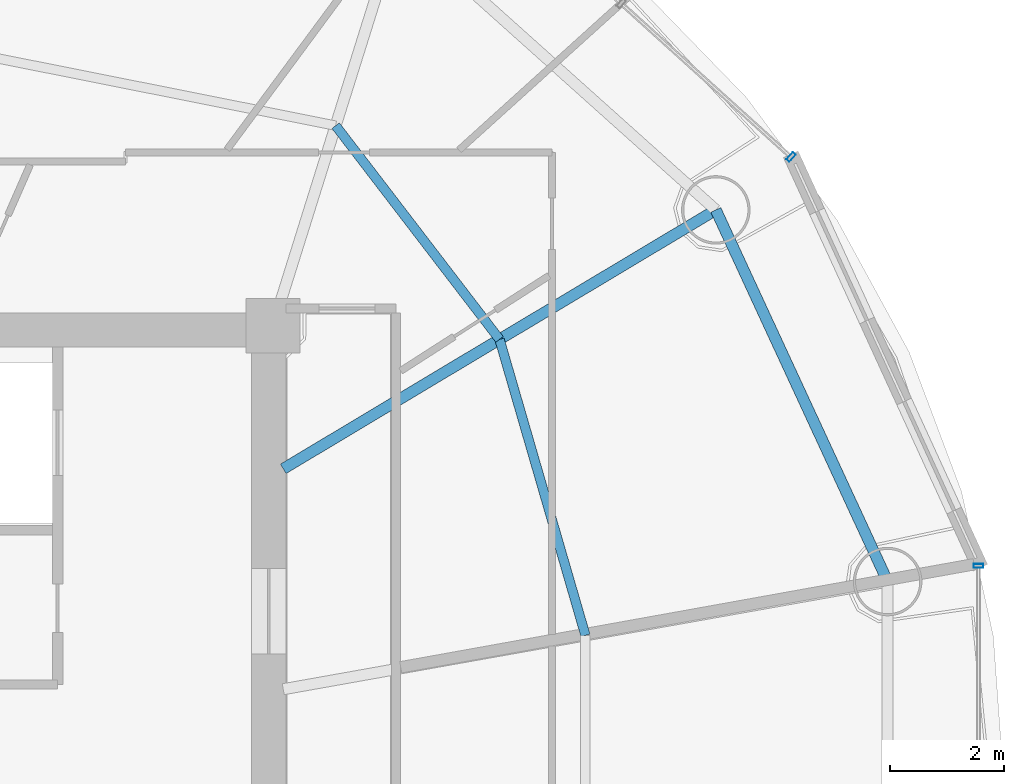
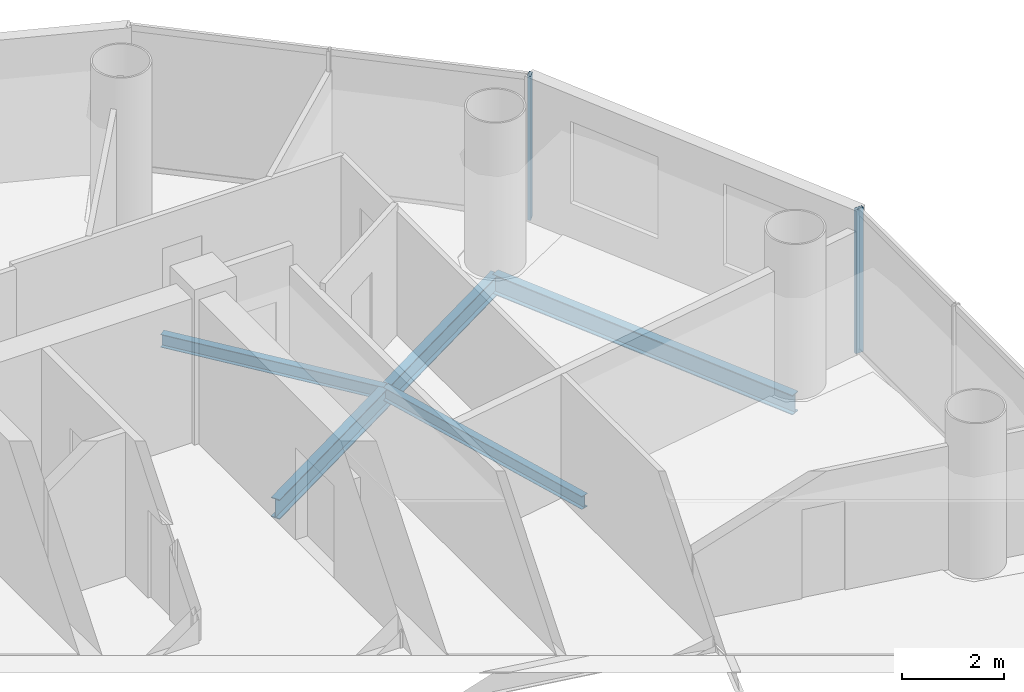
# One storey, part 13 of 27: 4 beams, 2 members, 2 elements without a shape of their own.
"""IFC4 building model written with IfcOpenShell, lengths in metres."""

from ifc_helpers import new_model, si_unit, direction, frame, origin, origin_2d, place, context, subcontext, project, spatial, hollow_rectangle, i_section, extrude, source, transform, mapped, material, material_profile, profile_set, type_object, element, aggregate, save


model = new_model("IFC4")

# Units and contexts
model_context = context("Model", 3, precision=1e-05, world=origin(), true_north=direction((-0.2419218956, 0.970295726276)))
body_context = subcontext(model_context, "Body", "Model", "MODEL_VIEW")
ifc_project = project(units=[si_unit("LENGTHUNIT", "METRE"), si_unit("AREAUNIT", "SQUARE_METRE"), si_unit("VOLUMEUNIT", "CUBIC_METRE"), si_unit("PLANEANGLEUNIT", "RADIAN"), si_unit("MASSUNIT", "GRAM", prefix="KILO")], contexts=[model_context])

# Site, building, storey
site_placement = place(None, origin())
site = spatial("IfcSite", under=ifc_project, at=site_placement, CompositionType="ELEMENT")
building_placement = place(site_placement, origin())
building = spatial("IfcBuilding", under=site, at=building_placement, Name="Cobrevalo Terracotta Tower", CompositionType="ELEMENT")
storey_placement = place(building_placement, frame((0.0, 0.0, 191.199951171875)))
storey = spatial("IfcBuildingStorey", under=building, at=storey_placement, Name="L50", CompositionType="ELEMENT", Elevation=191.199951171875)

# Beams
ifc_material_1 = material(Name="Steel S355", Category="steel")
ifc_material_profile_1 = material_profile(ifc_material_1, i_section(OverallWidth=0.194091796875, OverallDepth=0.468994140625, WebThickness=0.011474609375, FlangeThickness=0.0205078125, at=origin_2d()), Name="W 460x106")
ifc_profile_set_1 = profile_set([ifc_material_profile_1], Name="Steel S355")
beam_type_1 = type_object("IfcBeamType", Name="Structural Beam W 460x106 (Steel S355)", PredefinedType="BEAM", material=ifc_profile_set_1)
beam_1_placement = place(storey_placement, frame((54.754150390625, 36.828125, -0.49951171875), z_axis=(-0.858046392192, -0.513572184651, 0.0), x_axis=(0.513572184651, -0.858046392192, 0.0)))
element("IfcBeam", 1, at=beam_1_placement, inside=storey, type_object=beam_type_1, Name="L50 radial floor girder 02", PredefinedType="BEAM", context=body_context, shape_type="SweptSolid", body=[
    extrude(i_section(OverallWidth=0.194091796875, OverallDepth=0.468994140625, WebThickness=0.011474609375, FlangeThickness=0.0205078125, at=origin_2d()), origin(), (0.0, 0.0, 1.0), 8.827392578125),
])
ifc_material_profile_2 = material_profile(ifc_material_1, i_section(OverallWidth=0.1650390625, OverallDepth=0.31005859375, WebThickness=0.005859375, FlangeThickness=0.009765625, at=origin_2d()), Name="W 310x38.7")
ifc_profile_set_2 = profile_set([ifc_material_profile_2], Name="Steel S355")
beam_type_2 = type_object("IfcBeamType", Name="Structural Joist W 310x38.7 (Steel S355)", PredefinedType="JOIST", material=ifc_profile_set_2)
beam_2_placement = place(storey_placement, frame((52.471435546875, 29.378662109375, -0.419921875), z_axis=(-0.278769817131, 0.960357948401, 0.0), x_axis=(-0.960357948401, -0.278769817131, 0.0)))
element("IfcBeam", 2, at=beam_2_placement, inside=storey, type_object=beam_type_2, Name="L50 circumferential secondary floor joist 01", PredefinedType="JOIST", context=body_context, shape_type="SweptSolid", body=[
    extrude(i_section(OverallWidth=0.1650390625, OverallDepth=0.31005859375, WebThickness=0.005859375, FlangeThickness=0.009765625, at=origin_2d()), origin(), (0.0, 0.0, 1.0), 5.396484375),
])
beam_3_placement = place(storey_placement, frame((50.967041015625, 34.561279296875, -0.419921875), z_axis=(-0.608464146296, 0.793581364872, 0.0), x_axis=(-0.793581364872, -0.608464146296, 0.0)))
element("IfcBeam", 3, at=beam_3_placement, inside=storey, type_object=beam_type_2, Name="L50 circumferential secondary floor joist 02", PredefinedType="JOIST", context=body_context, shape_type="SweptSolid", body=[
    extrude(i_section(OverallWidth=0.1650390625, OverallDepth=0.31005859375, WebThickness=0.005859375, FlangeThickness=0.009765625, at=origin_2d()), origin(), (0.0, 0.0, 1.0), 4.716064453125),
])
ifc_material_profile_3 = material_profile(ifc_material_1, i_section(OverallWidth=0.194091796875, OverallDepth=0.468994140625, WebThickness=0.011474609375, FlangeThickness=0.0205078125, at=origin_2d()), Name="W 460x106")
ifc_profile_set_3 = profile_set([ifc_material_profile_3], Name="Steel S355")
beam_type_3 = type_object("IfcBeamType", Name="Structural Spandrel W 460x106 (Steel S355)", PredefinedType="SPANDREL", material=ifc_profile_set_3)
beam_4_placement = place(storey_placement, frame((57.762939453125, 30.3212890625, -0.49951171875), z_axis=(-0.419705965131, 0.907660125176, 0.0), x_axis=(-0.907660125176, -0.419705965131, 0.0)))
element("IfcBeam", 4, at=beam_4_placement, inside=storey, type_object=beam_type_3, Name="L50 perimeter ring spandrel 01", PredefinedType="SPANDREL", context=body_context, shape_type="SweptSolid", body=[
    extrude(i_section(OverallWidth=0.194091796875, OverallDepth=0.468994140625, WebThickness=0.011474609375, FlangeThickness=0.0205078125, at=origin_2d()), origin(), (0.0, 0.0, 1.0), 7.168701171875),
])

# Curtain wall, member
ifc_material_2 = material(Name="Anodized aluminium", Category="aluminium")
curtain_wall_type = type_object("IfcCurtainWallType", Name="Mid-tower high-wind unitised curtain wall CW-U2", PredefinedType="NOTDEFINED", material=ifc_material_2)
curtain_wall_1_placement = place(storey_placement, origin())
curtain_wall_1 = element("IfcCurtainWall", 5, at=curtain_wall_1_placement, inside=storey, type_object=curtain_wall_type, Name="L50 curtain wall CW-L50-S02", PredefinedType="NOTDEFINED")
ifc_material_profile_4 = material_profile(ifc_material_2, hollow_rectangle(XDim=0.070068359375, YDim=0.169921875, WallThickness=0.00439453125, at=origin_2d()), Name="CWM 70x170")
ifc_profile_set_4 = profile_set([ifc_material_profile_4], Name="Anodized aluminium")
member_type = type_object("IfcMemberType", Name="Upper tower unitised mullion 70x170", PredefinedType="MULLION", material=ifc_profile_set_4)
shared_shape = source(origin(), body_context, "Body", "SweptSolid", [
    extrude(hollow_rectangle(XDim=0.070068359375, YDim=0.169921875, WallThickness=0.00439453125, at=origin_2d()), origin(), (0.0, 0.0, 1.0), 3.43505859375),
])
member_1_placement = place(storey_placement, frame((56.071533203125, 37.7548828125, 0.0), z_axis=(0.0, 0.0, 1.0), x_axis=(-0.741987542015, 0.670413668935, 0.0)))
member_1 = element("IfcMember", 6, at=member_1_placement, type_object=member_type, Name="CW-L50-S02 vertical mullion 01", PredefinedType="MULLION", context=body_context, shape_type="MappedRepresentation", body=[
    mapped(shared_shape, transform((0.0, 0.0, 0.0), scale=1.0)),
])
aggregate(curtain_wall_1, [member_1])

curtain_wall_2_placement = place(storey_placement, origin())
curtain_wall_2 = element("IfcCurtainWall", 7, at=curtain_wall_2_placement, inside=storey, type_object=curtain_wall_type, Name="L50 curtain wall CW-L50-S16", PredefinedType="NOTDEFINED")
member_2_placement = place(storey_placement, frame((59.351806640625, 30.597412109375, 0.0), z_axis=(0.0, 0.0, 1.0), x_axis=(0.0, 1.0, 0.0)))
member_2 = element("IfcMember", 8, at=member_2_placement, type_object=member_type, Name="CW-L50-S16 vertical mullion 03", PredefinedType="MULLION", context=body_context, shape_type="MappedRepresentation", body=[
    mapped(shared_shape, transform((0.0, 0.0, 0.0), scale=1.0)),
])
aggregate(curtain_wall_2, [member_2])

save(model, "model.ifc")
